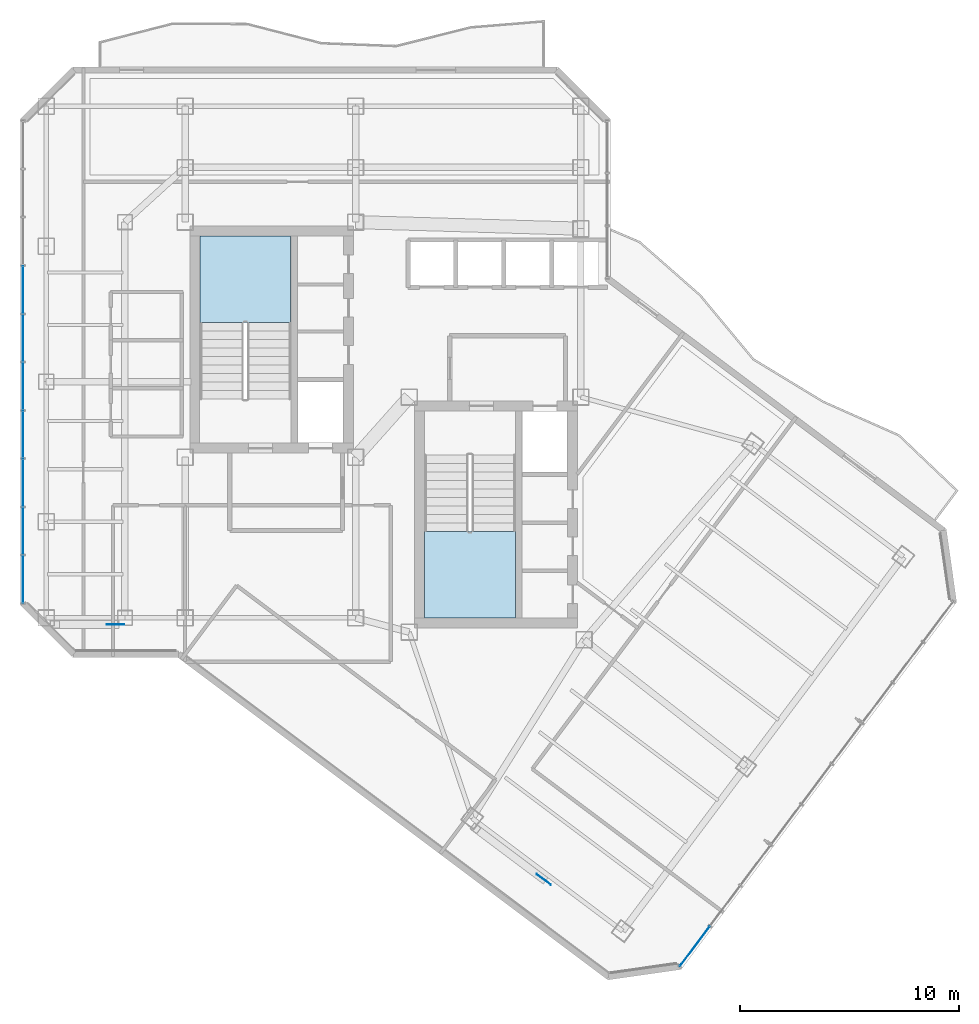
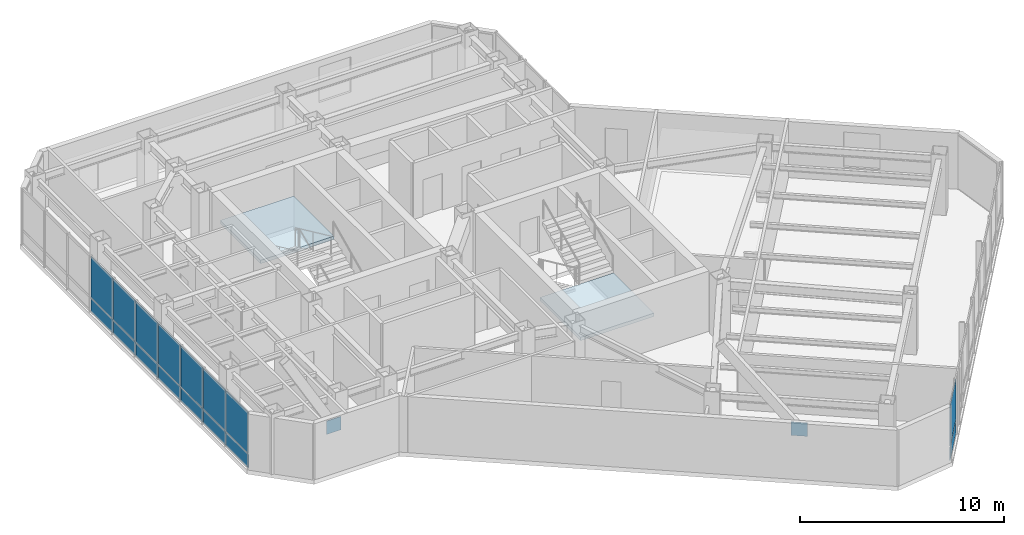
# One storey, part 18 of 25: 18 plates, 2 slabs, 4 elements without a shape of their own.
"""IFC4 building model written with IfcOpenShell, lengths in metres."""

from ifc_helpers import new_model, si_unit, direction, frame, origin, origin_2d, place, context, subcontext, project, spatial, polyline, rectangle, outline, extrude, material, layer, layer_set, type_object, element, aggregate, save


model = new_model("IFC4")

# Units and contexts
model_context = context("Model", 3, precision=1e-05, world=origin(), true_north=direction((0.0, 1.0)))
body_context = subcontext(model_context, "Body", "Model", "MODEL_VIEW")
ifc_project = project(units=[si_unit("LENGTHUNIT", "METRE"), si_unit("AREAUNIT", "SQUARE_METRE"), si_unit("VOLUMEUNIT", "CUBIC_METRE"), si_unit("PLANEANGLEUNIT", "RADIAN"), si_unit("MASSUNIT", "GRAM", prefix="KILO")], contexts=[model_context])

# Site, building, storey
site_placement = place(None, origin())
site = spatial("IfcSite", under=ifc_project, at=site_placement, CompositionType="ELEMENT")
building_placement = place(site_placement, origin())
building = spatial("IfcBuilding", under=site, at=building_placement, Name="Hatsunagi Terrace Concourse", CompositionType="ELEMENT")
storey_placement = place(building_placement, frame((0.0, 0.0, 205.949951171875)))
storey = spatial("IfcBuildingStorey", under=building, at=storey_placement, Name="L54", CompositionType="ELEMENT", Elevation=205.949951171875)

# Curtain wall, plate
ifc_material_1 = material(Name="Anodised Aluminium Alloy 6063-T5", Category="aluminium")
ifc_layer_1 = layer(ifc_material_1, 0.199951171875)
ifc_layer_set_1 = layer_set([ifc_layer_1], Name="OfficeZone2_CW04")
curtain_wall_type = type_object("IfcCurtainWallType", Name="OfficeZone2_CW04", PredefinedType="NOTDEFINED", material=ifc_layer_set_1)
curtain_wall_1_placement = place(storey_placement, origin())
curtain_wall_1 = element("IfcCurtainWall", 1, at=curtain_wall_1_placement, inside=storey, type_object=curtain_wall_type, Name="Unitised Curtain Wall CW-04 CW-L54-03", PredefinedType="NOTDEFINED")
ifc_material_2 = material(Name="Warm Terracotta Ceramic Spandrel Panel", Category="masonry")
ifc_layer_2 = layer(ifc_material_2, 0.031982421875)
ifc_layer_set_2 = layer_set([ifc_layer_2], Name="CurtainWallSpandrelPanel_32")
plate_type_1 = type_object("IfcPlateType", Name="CurtainWallSpandrelPanel_32", PredefinedType="SHEET", material=ifc_layer_set_2)
plate_1_placement = place(storey_placement, frame((48.85888671875, 10.177978515625, 0.030029296875), z_axis=(0.0, 0.0, 1.0), x_axis=(-0.599969314634, -0.800023013105, 0.0)))
plate_1 = element("IfcPlate", 2, at=plate_1_placement, type_object=plate_type_1, Name="Terracotta Spandrel Panel SPN-01", PredefinedType="SHEET", context=body_context, shape_type="SweptSolid", body=[
    extrude(rectangle(XDim=2.264892578125, YDim=0.031982421875, at=origin_2d()), origin(), (0.0, 0.0, 1.0), 0.7900390625),
])

# Curtain wall, plates
curtain_wall_2_placement = place(storey_placement, origin())
curtain_wall_2 = element("IfcCurtainWall", 3, at=curtain_wall_2_placement, inside=storey, type_object=curtain_wall_type, Name="Unitised Curtain Wall CW-04 CW-L54-08", PredefinedType="NOTDEFINED")
plate_2_placement = place(storey_placement, frame((18.139892578125, 26.9619140625, 0.030029296875), z_axis=(0.0, 0.0, 1.0), x_axis=(0.0, 1.0, 0.0)))
plate_2 = element("IfcPlate", 4, at=plate_2_placement, type_object=plate_type_1, Name="Terracotta Spandrel Panel SPN-01", PredefinedType="SHEET", context=body_context, shape_type="SweptSolid", body=[
    extrude(rectangle(XDim=2.153076171875, YDim=0.031982421875, at=origin_2d()), origin(), (0.0, 0.0, 1.0), 0.7900390625),
])
plate_3_placement = place(storey_placement, frame((18.139892578125, 29.1708984375, 0.030029296875), z_axis=(0.0, 0.0, 1.0), x_axis=(0.0, 1.0, 0.0)))
plate_3 = element("IfcPlate", 5, at=plate_3_placement, type_object=plate_type_1, Name="Terracotta Spandrel Panel SPN-01", PredefinedType="SHEET", context=body_context, shape_type="SweptSolid", body=[
    extrude(rectangle(XDim=2.153076171875, YDim=0.031982421875, at=origin_2d()), origin(), (0.0, 0.0, 1.0), 0.7900390625),
])
plate_4_placement = place(storey_placement, frame((18.139892578125, 31.37890625, 0.030029296875), z_axis=(0.0, 0.0, 1.0), x_axis=(0.0, 1.0, 0.0)))
plate_4 = element("IfcPlate", 6, at=plate_4_placement, type_object=plate_type_1, Name="Terracotta Spandrel Panel SPN-01", PredefinedType="SHEET", context=body_context, shape_type="SweptSolid", body=[
    extrude(rectangle(XDim=2.153076171875, YDim=0.031982421875, at=origin_2d()), origin(), (0.0, 0.0, 1.0), 0.7900390625),
])
plate_5_placement = place(storey_placement, frame((18.139892578125, 33.5869140625, 0.030029296875), z_axis=(0.0, 0.0, 1.0), x_axis=(0.0, 1.0, 0.0)))
plate_5 = element("IfcPlate", 7, at=plate_5_placement, type_object=plate_type_1, Name="Terracotta Spandrel Panel SPN-01", PredefinedType="SHEET", context=body_context, shape_type="SweptSolid", body=[
    extrude(rectangle(XDim=2.153076171875, YDim=0.031982421875, at=origin_2d()), origin(), (0.0, 0.0, 1.0), 0.7900390625),
])
plate_6_placement = place(storey_placement, frame((18.139892578125, 35.7958984375, 0.030029296875), z_axis=(0.0, 0.0, 1.0), x_axis=(0.0, 1.0, 0.0)))
plate_6 = element("IfcPlate", 8, at=plate_6_placement, type_object=plate_type_1, Name="Terracotta Spandrel Panel SPN-01", PredefinedType="SHEET", context=body_context, shape_type="SweptSolid", body=[
    extrude(rectangle(XDim=2.153076171875, YDim=0.031982421875, at=origin_2d()), origin(), (0.0, 0.0, 1.0), 0.7900390625),
])
plate_7_placement = place(storey_placement, frame((18.139892578125, 38.00390625, 0.030029296875), z_axis=(0.0, 0.0, 1.0), x_axis=(0.0, 1.0, 0.0)))
plate_7 = element("IfcPlate", 9, at=plate_7_placement, type_object=plate_type_1, Name="Terracotta Spandrel Panel SPN-01", PredefinedType="SHEET", context=body_context, shape_type="SweptSolid", body=[
    extrude(rectangle(XDim=2.153076171875, YDim=0.031982421875, at=origin_2d()), origin(), (0.0, 0.0, 1.0), 0.7900390625),
])
plate_8_placement = place(storey_placement, frame((18.139892578125, 40.212890625, 0.030029296875), z_axis=(0.0, 0.0, 1.0), x_axis=(0.0, 1.0, 0.0)))
plate_8 = element("IfcPlate", 10, at=plate_8_placement, type_object=plate_type_1, Name="Terracotta Spandrel Panel SPN-01", PredefinedType="SHEET", context=body_context, shape_type="SweptSolid", body=[
    extrude(rectangle(XDim=2.153076171875, YDim=0.031982421875, at=origin_2d()), origin(), (0.0, 0.0, 1.0), 0.7900390625),
])

# Plate
ifc_material_3 = material(Name="Low-E Double Insulating Glass 28mm", Category="glass")
ifc_layer_3 = layer(ifc_material_3, 0.028076171875)
ifc_layer_set_3 = layer_set([ifc_layer_3], Name="CurtainWallVisionGlass_28")
plate_type_2 = type_object("IfcPlateType", Name="CurtainWallVisionGlass_28", PredefinedType="CURTAIN_PANEL", material=ifc_layer_set_3)
plate_9_placement = place(storey_placement, frame((48.85888671875, 10.177978515625, 0.880126953125), z_axis=(0.0, 0.0, 1.0), x_axis=(-0.599969314634, -0.800023013105, 0.0)))
plate_9 = element("IfcPlate", 11, at=plate_9_placement, type_object=plate_type_2, Name="Low-E Vision Glass Panel GLZ-01", PredefinedType="CURTAIN_PANEL", context=body_context, shape_type="SweptSolid", body=[
    extrude(rectangle(XDim=2.264892578125, YDim=0.028076171875, at=origin_2d()), origin(), (0.0, 0.0, 1.0), 2.43994140625),
])

aggregate(curtain_wall_1, [plate_1, plate_9])

plate_10_placement = place(storey_placement, frame((18.139892578125, 26.9619140625, 0.880126953125), z_axis=(0.0, 0.0, 1.0), x_axis=(0.0, 1.0, 0.0)))
plate_10 = element("IfcPlate", 12, at=plate_10_placement, type_object=plate_type_2, Name="Low-E Vision Glass Panel GLZ-01", PredefinedType="CURTAIN_PANEL", context=body_context, shape_type="SweptSolid", body=[
    extrude(rectangle(XDim=2.153076171875, YDim=0.028076171875, at=origin_2d()), origin(), (0.0, 0.0, 1.0), 2.43994140625),
])

plate_11_placement = place(storey_placement, frame((18.139892578125, 29.1708984375, 0.880126953125), z_axis=(0.0, 0.0, 1.0), x_axis=(0.0, 1.0, 0.0)))
plate_11 = element("IfcPlate", 13, at=plate_11_placement, type_object=plate_type_2, Name="Low-E Vision Glass Panel GLZ-01", PredefinedType="CURTAIN_PANEL", context=body_context, shape_type="SweptSolid", body=[
    extrude(rectangle(XDim=2.153076171875, YDim=0.028076171875, at=origin_2d()), origin(), (0.0, 0.0, 1.0), 2.43994140625),
])

plate_12_placement = place(storey_placement, frame((18.139892578125, 31.37890625, 0.880126953125), z_axis=(0.0, 0.0, 1.0), x_axis=(0.0, 1.0, 0.0)))
plate_12 = element("IfcPlate", 14, at=plate_12_placement, type_object=plate_type_2, Name="Low-E Vision Glass Panel GLZ-01", PredefinedType="CURTAIN_PANEL", context=body_context, shape_type="SweptSolid", body=[
    extrude(rectangle(XDim=2.153076171875, YDim=0.028076171875, at=origin_2d()), origin(), (0.0, 0.0, 1.0), 2.43994140625),
])

plate_13_placement = place(storey_placement, frame((18.139892578125, 33.5869140625, 0.880126953125), z_axis=(0.0, 0.0, 1.0), x_axis=(0.0, 1.0, 0.0)))
plate_13 = element("IfcPlate", 15, at=plate_13_placement, type_object=plate_type_2, Name="Low-E Vision Glass Panel GLZ-01", PredefinedType="CURTAIN_PANEL", context=body_context, shape_type="SweptSolid", body=[
    extrude(rectangle(XDim=2.153076171875, YDim=0.028076171875, at=origin_2d()), origin(), (0.0, 0.0, 1.0), 2.43994140625),
])

plate_14_placement = place(storey_placement, frame((18.139892578125, 35.7958984375, 0.880126953125), z_axis=(0.0, 0.0, 1.0), x_axis=(0.0, 1.0, 0.0)))
plate_14 = element("IfcPlate", 16, at=plate_14_placement, type_object=plate_type_2, Name="Low-E Vision Glass Panel GLZ-01", PredefinedType="CURTAIN_PANEL", context=body_context, shape_type="SweptSolid", body=[
    extrude(rectangle(XDim=2.153076171875, YDim=0.028076171875, at=origin_2d()), origin(), (0.0, 0.0, 1.0), 2.43994140625),
])

plate_15_placement = place(storey_placement, frame((18.139892578125, 38.00390625, 0.880126953125), z_axis=(0.0, 0.0, 1.0), x_axis=(0.0, 1.0, 0.0)))
plate_15 = element("IfcPlate", 17, at=plate_15_placement, type_object=plate_type_2, Name="Low-E Vision Glass Panel GLZ-01", PredefinedType="CURTAIN_PANEL", context=body_context, shape_type="SweptSolid", body=[
    extrude(rectangle(XDim=2.153076171875, YDim=0.028076171875, at=origin_2d()), origin(), (0.0, 0.0, 1.0), 2.43994140625),
])

plate_16_placement = place(storey_placement, frame((18.139892578125, 40.212890625, 0.880126953125), z_axis=(0.0, 0.0, 1.0), x_axis=(0.0, 1.0, 0.0)))
plate_16 = element("IfcPlate", 18, at=plate_16_placement, type_object=plate_type_2, Name="Low-E Vision Glass Panel GLZ-01", PredefinedType="CURTAIN_PANEL", context=body_context, shape_type="SweptSolid", body=[
    extrude(rectangle(XDim=2.153076171875, YDim=0.028076171875, at=origin_2d()), origin(), (0.0, 0.0, 1.0), 2.43994140625),
])

aggregate(curtain_wall_2, [plate_2, plate_10, plate_3, plate_11, plate_4, plate_12, plate_5, plate_13, plate_6, plate_14, plate_7, plate_15, plate_8, plate_16])

# Stair, slab
ifc_material_4 = material(Name="Concrete Fc42", Category="concrete")
stair_type = type_object("IfcStairType", Name="DoglegExitStair_Tower2000_20R_180", PredefinedType="HALF_TURN_STAIR", material=ifc_material_4)
stair_1_placement = place(storey_placement, origin())
stair_1 = element("IfcStair", 19, at=stair_1_placement, inside=storey, type_object=stair_type, Name="L54 Core A Protected Exit Stair ST-A", PredefinedType="HALF_TURN_STAIR")
ifc_material_5 = material(Name="Concrete Fc42", Category="concrete")
ifc_layer_4 = layer(ifc_material_5, 0.199951171875)
ifc_layer_set_4 = layer_set([ifc_layer_4], Name="DoglegStairLanding_Tower2000")
slab_type = type_object("IfcSlabType", Name="DoglegStairLanding_Tower2000", PredefinedType="LANDING", material=ifc_layer_set_4)
slab_1_placement = place(storey_placement, frame((0.0, 0.0, 1.60009765625)))
slab_1 = element("IfcSlab", 20, at=slab_1_placement, type_object=slab_type, Name="ST-A landing 1", PredefinedType="LANDING", context=body_context, shape_type="SweptSolid", body=[
    extrude(outline(polyline([(30.3798828125, 38.7099609375), (30.3798828125, 42.659912109375), (26.22998046875, 42.659912109375), (26.22998046875, 38.7099609375), (30.3798828125, 38.7099609375)])), origin(), (0.0, 0.0, 1.0), 0.199951171875),
])
aggregate(stair_1, [slab_1])

stair_2_placement = place(storey_placement, origin())
stair_2 = element("IfcStair", 21, at=stair_2_placement, inside=storey, type_object=stair_type, Name="L54 Core B Protected Exit Stair ST-B", PredefinedType="HALF_TURN_STAIR")
slab_2_placement = place(storey_placement, frame((0.0, 0.0, 1.60009765625)))
slab_2 = element("IfcSlab", 22, at=slab_2_placement, type_object=slab_type, Name="ST-B landing 1", PredefinedType="LANDING", context=body_context, shape_type="SweptSolid", body=[
    extrude(outline(polyline([(36.5, 29.14990234375), (36.5, 25.199951171875), (40.64990234375, 25.199951171875), (40.64990234375, 29.14990234375), (36.5, 29.14990234375)])), origin(), (0.0, 0.0, 1.0), 0.199951171875),
])
aggregate(stair_2, [slab_2])

# Plates
ifc_material_6 = material(Name="Steel SN490C", Category="steel")
ifc_layer_5 = layer(ifc_material_6, 0.031982421875)
ifc_layer_set_5 = layer_set([ifc_layer_5], Name="XBraceNodeCapPlate_32")
plate_type_3 = type_object("IfcPlateType", Name="XBraceNodeCapPlate_32", PredefinedType="USERDEFINED", material=ifc_layer_set_5)
for number, where, z_axis, x_axis, name in (
    (23, (22.375, 24.89990234375, 1.27490234375), (0.0, 0.0, 1.0), (1.0, 0.0, 0.0), "X-Brace Crossing Gusset Node Plate GP-02 XB-L53-W1"),
    (24, (41.951904296875, 13.236083984375, 1.27490234375), (0.0, 0.0, 1.0), (0.799999996291, -0.600000004945, 0.0), "X-Brace Crossing Gusset Node Plate GP-02 XB-L53-SE"),
):
    element("IfcPlate", number, at=place(storey_placement, frame(where, z_axis=z_axis, x_axis=x_axis)), inside=storey, type_object=plate_type_3, Name=name, ObjectType="GUSSET_PLATE", PredefinedType="USERDEFINED", context=body_context, shape_type="SweptSolid", body=[
        extrude(rectangle(XDim=0.800048828125, YDim=0.031982421875, at=origin_2d()), origin(), (0.0, 0.0, 1.0), 0.800048828125),
    ])

save(model, "model.ifc")
